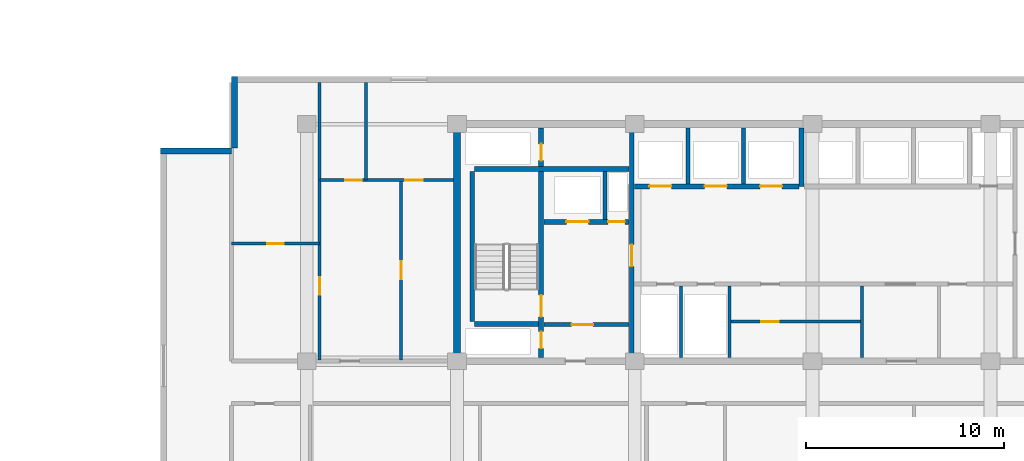
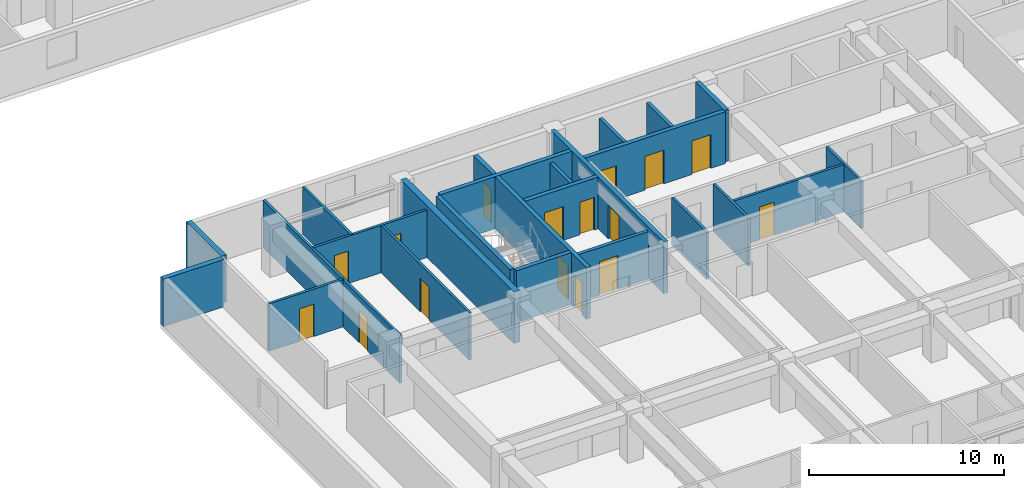
# One storey, part 6 of 23: 24 walls, 16 doors, 16 openings.
"""IFC4 building model written with IfcOpenShell, lengths in metres."""

from ifc_helpers import new_model, si_unit, direction, frame, frame_2d, origin, place, context, subcontext, project, spatial, rectangle, extrude, material, layer, layer_set, type_object, element, fill, save


model = new_model("IFC4")

# Units and contexts
model_context = context("Model", 3, precision=1e-05, world=origin(), true_north=direction((0.0, 1.0)))
body_context = subcontext(model_context, "Body", "Model", "MODEL_VIEW")
ifc_project = project(units=[si_unit("LENGTHUNIT", "METRE"), si_unit("AREAUNIT", "SQUARE_METRE"), si_unit("VOLUMEUNIT", "CUBIC_METRE"), si_unit("PLANEANGLEUNIT", "RADIAN"), si_unit("MASSUNIT", "GRAM", prefix="KILO")], contexts=[model_context])

# Site, building, storey
site_placement = place(None, origin())
site = spatial("IfcSite", under=ifc_project, at=site_placement, CompositionType="ELEMENT")
building_placement = place(site_placement, origin())
building = spatial("IfcBuilding", under=site, at=building_placement, Name="Korimba Cascade Residences", CompositionType="ELEMENT")
storey_placement = place(building_placement, frame((0.0, 0.0, 59.75)))
storey = spatial("IfcBuildingStorey", under=building, at=storey_placement, Name="L16", CompositionType="ELEMENT", Elevation=59.75)

# Walls
ifc_material_1 = material(Name="Precast concrete C40/50", Category="concrete")
ifc_layer_1 = layer(ifc_material_1, 0.300048828125)
ifc_layer_set_1 = layer_set([ifc_layer_1], Name="Precast concrete C40/50")
wall_type_1 = type_object("IfcWallType", Name="EW-STONE-300", PredefinedType="STANDARD", material=ifc_layer_set_1)
wall_1_placement = place(storey_placement, frame((70.85009765625, 32.800048828125, 0.0), z_axis=(0.0, 0.0, 1.0), x_axis=(0.0, -1.0, 0.0)))
element("IfcWall", 1, at=wall_1_placement, inside=storey, type_object=wall_type_1, Name="L16 T2 Perimeter Stone Wall E07", PredefinedType="STANDARD", context=body_context, shape_type="SweptSolid", body=[
    extrude(rectangle(XDim=3.60009765625, YDim=0.300048828125, at=frame_2d((1.800048828125, 0.0))), origin(), (0.0, 0.0, 1.0), 2.969970703125),
])
wall_2_placement = place(storey_placement, frame((70.699951171875, 29.050048828125, 0.0), z_axis=(0.0, 0.0, 1.0), x_axis=(-1.0, 0.0, 0.0)))
element("IfcWall", 2, at=wall_2_placement, inside=storey, type_object=wall_type_1, Name="L16 T2 Perimeter Stone Wall E08", PredefinedType="STANDARD", context=body_context, shape_type="SweptSolid", body=[
    extrude(rectangle(XDim=3.599853515625, YDim=0.300048828125, at=frame_2d((1.7998046875, 0.0))), origin(), (0.0, 0.0, 1.0), 2.969970703125),
])
ifc_material_2 = material(Name="Concrete C65/80", Category="concrete")
ifc_layer_2 = layer(ifc_material_2, 0.35009765625)
ifc_layer_set_2 = layer_set([ifc_layer_2], Name="Concrete C65/80")
wall_type_2 = type_object("IfcWallType", Name="WAL-CORE-350", PredefinedType="SHEAR", material=ifc_layer_set_2)
wall_3_placement = place(storey_placement, frame((82.10009765625, 18.574951171875, 0.0), z_axis=(0.0, 0.0, 1.0), x_axis=(0.0, 1.0, 0.0)))
element("IfcWall", 3, at=wall_3_placement, inside=storey, type_object=wall_type_2, Name="L16 Core Shear Wall CW-L16-T2-W", PredefinedType="SHEAR", context=body_context, shape_type="SweptSolid", body=[
    extrude(rectangle(XDim=11.650146484375, YDim=0.35009765625, at=frame_2d((5.8251953125, 0.0))), origin(), (0.0, 0.0, 1.0), 3.25),
])
ifc_material_3 = material(Name="Insulated Acoustic Stud Partition", Category="gypsum")
ifc_layer_3 = layer(ifc_material_3, 0.14990234375)
ifc_layer_set_3 = layer_set([ifc_layer_3], Name="Insulated Acoustic Stud Partition")
wall_type_3 = type_object("IfcWallType", Name="WAL-PART-150", PredefinedType="PARTITIONING", material=ifc_layer_set_3)
for number, where, z_axis, x_axis, name in (
    (4, (93.449951171875, 18.60009765625, 0.0), (0.0, 0.0, 1.0), (0.0, 1.0, 0.0), "L16 Partition Wall CW-L16-T2-ERDIV"),
    (5, (95.89990234375, 18.60009765625, 0.0), (0.0, 0.0, 1.0), (0.0, 1.0, 0.0), "L16 Partition Wall CW-L16-T2-PRDIV"),
):
    element("IfcWall", number, at=place(storey_placement, frame(where, z_axis=z_axis, x_axis=x_axis)), inside=storey, type_object=wall_type_3, Name=name, PredefinedType="PARTITIONING", context=body_context, shape_type="SweptSolid", body=[
        extrude(rectangle(XDim=3.599853515625, YDim=0.14990234375, at=frame_2d((1.7998046875, 0.0))), origin(), (0.0, 0.0, 1.0), 2.969970703125),
    ])

# Wall, opening, door
wall_4_placement = place(storey_placement, frame((95.89990234375, 20.39990234375, 0.0), z_axis=(0.0, 0.0, 1.0), x_axis=(1.0, 0.0, 0.0)))
wall_4 = element("IfcWall", 6, at=wall_4_placement, inside=storey, type_object=wall_type_3, Name="L16 Partition Wall CW-L16-T2-CA2HZ", PredefinedType="PARTITIONING", context=body_context, shape_type="SweptSolid", body=[
    extrude(rectangle(XDim=6.7001953125, YDim=0.14990234375, at=frame_2d((3.35009765625, 0.0))), origin(), (0.0, 0.0, 1.0), 2.969970703125),
])
opening_1_placement = place(wall_4_placement, frame((1.60009765625, 0.0, 0.0)))
opening_1 = element("IfcOpeningElement", 7, at=opening_1_placement, cuts=wall_4, Name="Opening D-IN2", PredefinedType="OPENING", context=body_context, shape_type="SweptSolid", body=[
    extrude(rectangle(XDim=0.8798828125, YDim=2.06005859375, at=frame_2d((0.43994140625, 1.030029296875))), frame((0.0, 0.0849609375, 0.0), z_axis=(0.0, -1.0, 0.0), x_axis=(1.0, 0.0, 0.0)), (0.0, 0.0, 1.0), 0.169921875),
])
ifc_material_4 = material(Name="Acoustic Timber Bedroom Door", Category="wood")
door_type_1 = type_object("IfcDoorType", Name="DR-INT-880", OperationType="NOTDEFINED", PredefinedType="DOOR", material=ifc_material_4)
door_1_placement = place(opening_1_placement, origin())
door_1 = element("IfcDoor", 8, at=door_1_placement, inside=storey, type_object=door_type_1, Name="L16 T2 Pram Store Door", OperationType="SINGLE_SWING_RIGHT", OverallHeight=2.06005859375, OverallWidth=0.8798828125, PredefinedType="DOOR", context=body_context, shape_type="SweptSolid", body=[
    extrude(rectangle(XDim=0.8798828125, YDim=2.06005859375, at=frame_2d((0.43994140625, 1.030029296875))), frame((0.0, 0.02490234375, 0.0), z_axis=(0.0, -1.0, 0.0), x_axis=(1.0, 0.0, 0.0)), (0.0, 0.0, 1.0), 0.050048828125),
])
fill(opening_1, door_1)

# Wall
wall_5_placement = place(storey_placement, frame((102.60009765625, 18.60009765625, 0.0), z_axis=(0.0, 0.0, 1.0), x_axis=(0.0, 1.0, 0.0)))
element("IfcWall", 9, at=wall_5_placement, inside=storey, type_object=wall_type_3, Name="L16 Partition Wall CW-L16-T2-THW", PredefinedType="PARTITIONING", context=body_context, shape_type="SweptSolid", body=[
    extrude(rectangle(XDim=3.599853515625, YDim=0.14990234375, at=frame_2d((1.7998046875, 0.0))), origin(), (0.0, 0.0, 1.0), 2.969970703125),
])

# Wall, opening, door
wall_6_placement = place(storey_placement, frame((70.699951171875, 24.35009765625, 0.0), z_axis=(0.0, 0.0, 1.0), x_axis=(1.0, 0.0, 0.0)))
wall_6 = element("IfcWall", 10, at=wall_6_placement, inside=storey, type_object=wall_type_3, Name="L16 Partition Wall WAL-L16-T2-FW-STH", PredefinedType="PARTITIONING", context=body_context, shape_type="SweptSolid", body=[
    extrude(rectangle(XDim=4.449951171875, YDim=0.14990234375, at=frame_2d((2.22509765625, 0.0))), origin(), (0.0, 0.0, 1.0), 2.969970703125),
])
opening_2_placement = place(wall_6_placement, frame((1.804931640625, 0.0, 0.0)))
opening_2 = element("IfcOpeningElement", 11, at=opening_2_placement, cuts=wall_6, Name="Opening D-BT1", PredefinedType="OPENING", context=body_context, shape_type="SweptSolid", body=[
    extrude(rectangle(XDim=0.840087890625, YDim=2.0400390625, at=frame_2d((0.419921875, 1.02001953125))), frame((0.0, 0.0849609375, 0.0), z_axis=(0.0, -1.0, 0.0), x_axis=(1.0, 0.0, 0.0)), (0.0, 0.0, 1.0), 0.169921875),
])
ifc_material_5 = material(Name="Moisture-Resistant Bathroom Timber Door", Category="wood")
door_type_2 = type_object("IfcDoorType", Name="DR-INT-850", OperationType="NOTDEFINED", PredefinedType="DOOR", material=ifc_material_5)
door_2_placement = place(opening_2_placement, origin())
door_2 = element("IfcDoor", 12, at=door_2_placement, inside=storey, type_object=door_type_2, Name="L16-T2-FW Dressing Store Door", OperationType="SINGLE_SWING_LEFT", OverallHeight=2.0400390625, OverallWidth=0.840087890625, PredefinedType="DOOR", context=body_context, shape_type="SweptSolid", body=[
    extrude(rectangle(XDim=0.840087890625, YDim=2.0400390625, at=frame_2d((0.419921875, 1.02001953125))), frame((0.0, 0.02490234375, 0.0), z_axis=(0.0, -1.0, 0.0), x_axis=(1.0, 0.0, 0.0)), (0.0, 0.0, 1.0), 0.050048828125),
])
fill(opening_2, door_2)

wall_7_placement = place(storey_placement, frame((75.14990234375, 18.449951171875, 0.0), z_axis=(0.0, 0.0, 1.0), x_axis=(0.0, 1.0, 0.0)))
wall_7 = element("IfcWall", 13, at=wall_7_placement, inside=storey, type_object=wall_type_3, Name="L16 Partition Wall WAL-L16-T2-FW-STV", PredefinedType="PARTITIONING", context=body_context, shape_type="SweptSolid", body=[
    extrude(rectangle(XDim=14.050048828125, YDim=0.14990234375, at=frame_2d((7.02490234375, 0.0))), origin(), (0.0, 0.0, 1.0), 2.969970703125),
])
opening_3_placement = place(wall_7_placement, frame((3.320068359375, 0.0, 0.0)))
opening_3 = element("IfcOpeningElement", 14, at=opening_3_placement, cuts=wall_7, Name="Opening D-IN2", PredefinedType="OPENING", context=body_context, shape_type="SweptSolid", body=[
    extrude(rectangle(XDim=0.8798828125, YDim=2.06005859375, at=frame_2d((0.43994140625, 1.030029296875))), frame((0.0, 0.0849609375, 0.0), z_axis=(0.0, -1.0, 0.0), x_axis=(1.0, 0.0, 0.0)), (0.0, 0.0, 1.0), 0.169921875),
])
door_3_placement = place(opening_3_placement, origin())
door_3 = element("IfcDoor", 15, at=door_3_placement, inside=storey, type_object=door_type_1, Name="L16-T2-FW Study Door", OperationType="SINGLE_SWING_RIGHT", OverallHeight=2.06005859375, OverallWidth=0.8798828125, PredefinedType="DOOR", context=body_context, shape_type="SweptSolid", body=[
    extrude(rectangle(XDim=0.8798828125, YDim=2.06005859375, at=frame_2d((0.43994140625, 1.030029296875))), frame((0.0, 0.02490234375, 0.0), z_axis=(0.0, -1.0, 0.0), x_axis=(1.0, 0.0, 0.0)), (0.0, 0.0, 1.0), 0.050048828125),
])
fill(opening_3, door_3)

wall_8_placement = place(storey_placement, frame((79.27001953125, 18.449951171875, 0.0), z_axis=(0.0, 0.0, 1.0), x_axis=(0.0, 1.0, 0.0)))
wall_8 = element("IfcWall", 16, at=wall_8_placement, inside=storey, type_object=wall_type_3, Name="L16 Partition Wall WAL-L16-T2-FW-VS", PredefinedType="PARTITIONING", context=body_context, shape_type="SweptSolid", body=[
    extrude(rectangle(XDim=9.1201171875, YDim=0.14990234375, at=frame_2d((4.56005859375, 0.0))), origin(), (0.0, 0.0, 1.0), 2.969970703125),
])
opening_4_placement = place(wall_8_placement, frame((4.10009765625, 0.0, 0.0)))
opening_4 = element("IfcOpeningElement", 17, at=opening_4_placement, cuts=wall_8, Name="Opening D-IN1", PredefinedType="OPENING", context=body_context, shape_type="SweptSolid", body=[
    extrude(rectangle(XDim=0.919921875, YDim=2.080078125, at=frame_2d((0.4599609375, 1.0400390625))), frame((0.0, 0.0849609375, 0.0), z_axis=(0.0, -1.0, 0.0), x_axis=(1.0, 0.0, 0.0)), (0.0, 0.0, 1.0), 0.169921875),
])
ifc_material_6 = material(Name="Acoustic Timber Living Door", Category="wood")
door_type_3 = type_object("IfcDoorType", Name="DR-INT-920", OperationType="NOTDEFINED", PredefinedType="DOOR", material=ifc_material_6)
door_4_placement = place(opening_4_placement, origin())
door_4 = element("IfcDoor", 18, at=door_4_placement, inside=storey, type_object=door_type_3, Name="L16-T2-FW Living Door", OperationType="SINGLE_SWING_LEFT", OverallHeight=2.080078125, OverallWidth=0.919921875, PredefinedType="DOOR", context=body_context, shape_type="SweptSolid", body=[
    extrude(rectangle(XDim=0.919921875, YDim=2.080078125, at=frame_2d((0.4599609375, 1.0400390625))), frame((0.0, 0.02490234375, 0.0), z_axis=(0.0, -1.0, 0.0), x_axis=(1.0, 0.0, 0.0)), (0.0, 0.0, 1.0), 0.050048828125),
])
fill(opening_4, door_4)

# Wall
wall_9_placement = place(storey_placement, frame((77.5, 27.570068359375, 0.0), z_axis=(0.0, 0.0, 1.0), x_axis=(0.0, 1.0, 0.0)))
element("IfcWall", 19, at=wall_9_placement, inside=storey, type_object=wall_type_3, Name="L16 Partition Wall WAL-L16-T2-FW-VN", PredefinedType="PARTITIONING", context=body_context, shape_type="SweptSolid", body=[
    extrude(rectangle(XDim=4.929931640625, YDim=0.14990234375, at=frame_2d((2.46484375, 0.0))), origin(), (0.0, 0.0, 1.0), 2.969970703125),
])

# Wall, openings, doors
wall_10_placement = place(storey_placement, frame((75.169921875, 27.570068359375, 0.0), z_axis=(0.0, 0.0, 1.0), x_axis=(1.0, 0.0, 0.0)))
wall_10 = element("IfcWall", 20, at=wall_10_placement, inside=storey, type_object=wall_type_3, Name="L16 Partition Wall WAL-L16-T2-FW-H", PredefinedType="PARTITIONING", context=body_context, shape_type="SweptSolid", body=[
    extrude(rectangle(XDim=6.760009765625, YDim=0.14990234375, at=frame_2d((3.3798828125, 0.0))), origin(), (0.0, 0.0, 1.0), 2.969970703125),
])
opening_5_placement = place(wall_10_placement, frame((1.266357421875, 0.0, 0.0)))
opening_5 = element("IfcOpeningElement", 21, at=opening_5_placement, cuts=wall_10, Name="Opening D-BT1", PredefinedType="OPENING", context=body_context, shape_type="SweptSolid", body=[
    extrude(rectangle(XDim=0.840087890625, YDim=2.0400390625, at=frame_2d((0.419921875, 1.02001953125))), frame((0.0, 0.0849609375, 0.0), z_axis=(0.0, -1.0, 0.0), x_axis=(1.0, 0.0, 0.0)), (0.0, 0.0, 1.0), 0.169921875),
])
opening_6_placement = place(wall_10_placement, frame((4.320068359375, 0.0, 0.0)))
opening_6 = element("IfcOpeningElement", 22, at=opening_6_placement, cuts=wall_10, Name="Opening D-IN2", PredefinedType="OPENING", context=body_context, shape_type="SweptSolid", body=[
    extrude(rectangle(XDim=0.8798828125, YDim=2.06005859375, at=frame_2d((0.43994140625, 1.030029296875))), frame((0.0, 0.0849609375, 0.0), z_axis=(0.0, -1.0, 0.0), x_axis=(1.0, 0.0, 0.0)), (0.0, 0.0, 1.0), 0.169921875),
])
door_5_placement = place(opening_5_placement, origin())
door_5 = element("IfcDoor", 23, at=door_5_placement, inside=storey, type_object=door_type_2, Name="L16-T2-FW Bathroom Door", OperationType="SINGLE_SWING_RIGHT", OverallHeight=2.0400390625, OverallWidth=0.840087890625, PredefinedType="DOOR", context=body_context, shape_type="SweptSolid", body=[
    extrude(rectangle(XDim=0.840087890625, YDim=2.0400390625, at=frame_2d((0.419921875, 1.02001953125))), frame((0.0, 0.02490234375, 0.0), z_axis=(0.0, -1.0, 0.0), x_axis=(1.0, 0.0, 0.0)), (0.0, 0.0, 1.0), 0.050048828125),
])
fill(opening_5, door_5)
door_6_placement = place(opening_6_placement, origin())
door_6 = element("IfcDoor", 24, at=door_6_placement, inside=storey, type_object=door_type_1, Name="L16-T2-FW Bedroom Door", OperationType="SINGLE_SWING_LEFT", OverallHeight=2.06005859375, OverallWidth=0.8798828125, PredefinedType="DOOR", context=body_context, shape_type="SweptSolid", body=[
    extrude(rectangle(XDim=0.8798828125, YDim=2.06005859375, at=frame_2d((0.43994140625, 1.030029296875))), frame((0.0, 0.02490234375, 0.0), z_axis=(0.0, -1.0, 0.0), x_axis=(1.0, 0.0, 0.0)), (0.0, 0.0, 1.0), 0.050048828125),
])
fill(opening_6, door_6)

# Wall
ifc_material_7 = material(Name="Concrete C40/50", Category="concrete")
ifc_layer_4 = layer(ifc_material_7, 0.199951171875)
ifc_layer_set_4 = layer_set([ifc_layer_4], Name="Concrete C40/50")
wall_type_4 = type_object("IfcWallType", Name="WAL-PART-200", PredefinedType="PARTITIONING", material=ifc_layer_set_4)
wall_11_placement = place(storey_placement, frame((89.60009765625, 25.580078125, 0.0), z_axis=(0.0, 0.0, 1.0), x_axis=(0.0, 1.0, 0.0)))
element("IfcWall", 25, at=wall_11_placement, inside=storey, type_object=wall_type_4, Name="L16 Partition Wall CW-L16-T2-FFLDIV", PredefinedType="PARTITIONING", context=body_context, shape_type="SweptSolid", body=[
    extrude(rectangle(XDim=2.419921875, YDim=0.199951171875, at=frame_2d((1.2099609375, 0.0))), origin(), (0.0, 0.0, 1.0), 2.969970703125),
])

# Wall, opening, door
wall_12_placement = place(storey_placement, frame((86.5, 20.25, 0.0), z_axis=(0.0, 0.0, 1.0), x_axis=(1.0, 0.0, 0.0)))
wall_12 = element("IfcWall", 26, at=wall_12_placement, inside=storey, type_object=wall_type_4, Name="L16 Partition Wall CW-L16-T2-FFLS", PredefinedType="PARTITIONING", context=body_context, shape_type="SweptSolid", body=[
    extrude(rectangle(XDim=4.320068359375, YDim=0.199951171875, at=frame_2d((2.16015625, 0.0))), origin(), (0.0, 0.0, 1.0), 2.969970703125),
])
opening_7_placement = place(wall_12_placement, frame((1.39990234375, 0.0, 0.0)))
opening_7 = element("IfcOpeningElement", 27, at=opening_7_placement, cuts=wall_12, Name="Opening D-FD1", PredefinedType="OPENING", context=body_context, shape_type="SweptSolid", body=[
    extrude(rectangle(XDim=1.10009765625, YDim=2.10009765625, at=frame_2d((0.550048828125, 1.050048828125))), frame((0.0, 0.10986328125, 0.0), z_axis=(0.0, -1.0, 0.0), x_axis=(1.0, 0.0, 0.0)), (0.0, 0.0, 1.0), 0.219970703125),
])
ifc_material_8 = material(Name="Fire-Rated Steel Core Door", Category="steel")
door_type_4 = type_object("IfcDoorType", Name="DR-FD120-1100", OperationType="NOTDEFINED", PredefinedType="DOOR", material=ifc_material_8)
door_7_placement = place(opening_7_placement, origin())
door_7 = element("IfcDoor", 28, at=door_7_placement, inside=storey, type_object=door_type_4, Name="L16 T2 Firefighting Lobby Door", OperationType="SINGLE_SWING_LEFT", OverallHeight=2.10009765625, OverallWidth=1.10009765625, PredefinedType="DOOR", context=body_context, shape_type="SweptSolid", body=[
    extrude(rectangle(XDim=1.10009765625, YDim=2.10009765625, at=frame_2d((0.550048828125, 1.050048828125))), frame((0.0, 0.02490234375, 0.0), z_axis=(0.0, -1.0, 0.0), x_axis=(1.0, 0.0, 0.0)), (0.0, 0.0, 1.0), 0.050048828125),
])
fill(opening_7, door_7)

# Walls
for number, where, z_axis, x_axis, name in (
    (29, (93.800048828125, 27.3798828125, 0.0), (0.0, 0.0, 1.0), (0.0, 1.0, 0.0), "L16 Partition Wall CW-L16-T2-B1D1"),
    (30, (96.60009765625, 27.3798828125, 0.0), (0.0, 0.0, 1.0), (0.0, 1.0, 0.0), "L16 Partition Wall CW-L16-T2-B1D2"),
):
    element("IfcWall", number, at=place(storey_placement, frame(where, z_axis=z_axis, x_axis=x_axis)), inside=storey, type_object=wall_type_4, Name=name, PredefinedType="PARTITIONING", context=body_context, shape_type="SweptSolid", body=[
        extrude(rectangle(XDim=2.820068359375, YDim=0.199951171875, at=frame_2d((1.41015625, 0.0))), origin(), (0.0, 0.0, 1.0), 2.969970703125),
    ])
ifc_material_9 = material(Name="Concrete C50/60", Category="concrete")
ifc_layer_5 = layer(ifc_material_9, 0.25)
ifc_layer_set_5 = layer_set([ifc_layer_5], Name="Concrete C50/60")
wall_type_5 = type_object("IfcWallType", Name="WAL-SHAFT-250", PredefinedType="SHEAR", material=ifc_layer_set_5)
wall_13_placement = place(storey_placement, frame((82.875, 20.39990234375, 0.0), z_axis=(0.0, 0.0, 1.0), x_axis=(0.0, 1.0, 0.0)))
element("IfcWall", 31, at=wall_13_placement, inside=storey, type_object=wall_type_5, Name="L16 Core Shear Wall CW-L16-T2-STE1W", PredefinedType="SHEAR", context=body_context, shape_type="SweptSolid", body=[
    extrude(rectangle(XDim=7.60009765625, YDim=0.25, at=frame_2d((3.800048828125, 0.0))), origin(), (0.0, 0.0, 1.0), 3.25),
])

# Wall, openings, doors
wall_14_placement = place(storey_placement, frame((86.364990234375, 18.60009765625, 0.0), z_axis=(0.0, 0.0, 1.0), x_axis=(0.0, 1.0, 0.0)))
wall_14 = element("IfcWall", 32, at=wall_14_placement, inside=storey, type_object=wall_type_5, Name="L16 Core Shear Wall CW-L16-T2-STE1E", PredefinedType="SHEAR", context=body_context, shape_type="SweptSolid", body=[
    extrude(rectangle(XDim=11.599853515625, YDim=0.25, at=frame_2d((5.7998046875, 0.0))), origin(), (0.0, 0.0, 1.0), 3.25),
])
opening_8_placement = place(wall_14_placement, frame((0.449951171875, 0.0, 0.0)))
opening_8 = element("IfcOpeningElement", 33, at=opening_8_placement, cuts=wall_14, Name="Opening D-RS1", PredefinedType="OPENING", context=body_context, shape_type="SweptSolid", body=[
    extrude(rectangle(XDim=0.85009765625, YDim=2.050048828125, at=frame_2d((0.425048828125, 1.02490234375))), frame((0.0, 0.135009765625, 0.0), z_axis=(0.0, -1.0, 0.0), x_axis=(1.0, 0.0, 0.0)), (0.0, 0.0, 1.0), 0.27001953125),
])
opening_9_placement = place(wall_14_placement, frame((2.050048828125, 0.0, 0.0)))
opening_9 = element("IfcOpeningElement", 34, at=opening_9_placement, cuts=wall_14, Name="Opening D-FD1", PredefinedType="OPENING", context=body_context, shape_type="SweptSolid", body=[
    extrude(rectangle(XDim=1.10009765625, YDim=2.10009765625, at=frame_2d((0.550048828125, 1.050048828125))), frame((0.0, 0.135009765625, 0.0), z_axis=(0.0, -1.0, 0.0), x_axis=(1.0, 0.0, 0.0)), (0.0, 0.0, 1.0), 0.27001953125),
])
opening_10_placement = place(wall_14_placement, frame((9.949951171875, 0.0, 0.0)))
opening_10 = element("IfcOpeningElement", 35, at=opening_10_placement, cuts=wall_14, Name="Opening D-RS1", PredefinedType="OPENING", context=body_context, shape_type="SweptSolid", body=[
    extrude(rectangle(XDim=0.85009765625, YDim=2.050048828125, at=frame_2d((0.425048828125, 1.02490234375))), frame((0.0, 0.135009765625, 0.0), z_axis=(0.0, -1.0, 0.0), x_axis=(1.0, 0.0, 0.0)), (0.0, 0.0, 1.0), 0.27001953125),
])
door_8_placement = place(opening_9_placement, origin())
door_8 = element("IfcDoor", 36, at=door_8_placement, inside=storey, type_object=door_type_4, Name="L16 Fire Stair ST-E1 Door", OperationType="SINGLE_SWING_RIGHT", OverallHeight=2.10009765625, OverallWidth=1.10009765625, PredefinedType="DOOR", context=body_context, shape_type="SweptSolid", body=[
    extrude(rectangle(XDim=1.10009765625, YDim=2.10009765625, at=frame_2d((0.550048828125, 1.050048828125))), frame((0.0, 0.02490234375, 0.0), z_axis=(0.0, -1.0, 0.0), x_axis=(1.0, 0.0, 0.0)), (0.0, 0.0, 1.0), 0.050048828125),
])
fill(opening_9, door_8)
ifc_material_10 = material(Name="Fire-Rated Steel Riser Access Door", Category="steel")
door_type_5 = type_object("IfcDoorType", Name="DR-FD60-850", OperationType="NOTDEFINED", PredefinedType="DOOR", material=ifc_material_10)
door_9_placement = place(opening_8_placement, origin())
door_9 = element("IfcDoor", 37, at=door_9_placement, inside=storey, type_object=door_type_5, Name="L16 T2 Hydrant Riser Door", OperationType="SINGLE_SWING_LEFT", OverallHeight=2.050048828125, OverallWidth=0.85009765625, PredefinedType="DOOR", context=body_context, shape_type="SweptSolid", body=[
    extrude(rectangle(XDim=0.85009765625, YDim=2.050048828125, at=frame_2d((0.425048828125, 1.02490234375))), frame((0.0, 0.02490234375, 0.0), z_axis=(0.0, -1.0, 0.0), x_axis=(1.0, 0.0, 0.0)), (0.0, 0.0, 1.0), 0.050048828125),
])
fill(opening_8, door_9)
door_10_placement = place(opening_10_placement, origin())
door_10 = element("IfcDoor", 38, at=door_10_placement, inside=storey, type_object=door_type_5, Name="L16 T2 Smoke Shaft Door", OperationType="SINGLE_SWING_LEFT", OverallHeight=2.050048828125, OverallWidth=0.85009765625, PredefinedType="DOOR", context=body_context, shape_type="SweptSolid", body=[
    extrude(rectangle(XDim=0.85009765625, YDim=2.050048828125, at=frame_2d((0.425048828125, 1.02490234375))), frame((0.0, 0.02490234375, 0.0), z_axis=(0.0, -1.0, 0.0), x_axis=(1.0, 0.0, 0.0)), (0.0, 0.0, 1.0), 0.050048828125),
])
fill(opening_10, door_10)

# Walls
wall_15_placement = place(storey_placement, frame((83.0, 20.27490234375, 0.0), z_axis=(0.0, 0.0, 1.0), x_axis=(1.0, 0.0, 0.0)))
element("IfcWall", 39, at=wall_15_placement, inside=storey, type_object=wall_type_5, Name="L16 Core Shear Wall CW-L16-T2-STE1S", PredefinedType="SHEAR", context=body_context, shape_type="SweptSolid", body=[
    extrude(rectangle(XDim=3.239990234375, YDim=0.25, at=frame_2d((1.6201171875, 0.0))), origin(), (0.0, 0.0, 1.0), 3.25),
])
wall_16_placement = place(storey_placement, frame((83.0, 28.125, 0.0), z_axis=(0.0, 0.0, 1.0), x_axis=(1.0, 0.0, 0.0)))
element("IfcWall", 40, at=wall_16_placement, inside=storey, type_object=wall_type_5, Name="L16 Core Shear Wall CW-L16-T2-STE1N", PredefinedType="SHEAR", context=body_context, shape_type="SweptSolid", body=[
    extrude(rectangle(XDim=7.820068359375, YDim=0.25, at=frame_2d((3.91015625, 0.0))), origin(), (0.0, 0.0, 1.0), 3.25),
])

# Wall, openings, doors
wall_17_placement = place(storey_placement, frame((86.5, 25.449951171875, 0.0), z_axis=(0.0, 0.0, 1.0), x_axis=(1.0, 0.0, 0.0)))
wall_17 = element("IfcWall", 41, at=wall_17_placement, inside=storey, type_object=wall_type_5, Name="L16 Core Shear Wall CW-L16-T2-FFLN", PredefinedType="SHEAR", context=body_context, shape_type="SweptSolid", body=[
    extrude(rectangle(XDim=4.320068359375, YDim=0.25, at=frame_2d((2.16015625, 0.0))), origin(), (0.0, 0.0, 1.0), 3.25),
])
opening_11_placement = place(wall_17_placement, frame((1.139892578125, 0.0, 0.0)))
opening_11 = element("IfcOpeningElement", 42, at=opening_11_placement, cuts=wall_17, Name="Opening LD-01", PredefinedType="OPENING", context=body_context, shape_type="SweptSolid", body=[
    extrude(rectangle(XDim=1.1201171875, YDim=2.1201171875, at=frame_2d((0.56005859375, 1.06005859375))), frame((0.0, 0.135009765625, 0.0), z_axis=(0.0, -1.0, 0.0), x_axis=(1.0, 0.0, 0.0)), (0.0, 0.0, 1.0), 0.27001953125),
])
opening_12_placement = place(wall_17_placement, frame((3.25, 0.0, 0.0)))
opening_12 = element("IfcOpeningElement", 43, at=opening_12_placement, cuts=wall_17, Name="Opening D-RS1", PredefinedType="OPENING", context=body_context, shape_type="SweptSolid", body=[
    extrude(rectangle(XDim=0.85009765625, YDim=2.050048828125, at=frame_2d((0.425048828125, 1.02490234375))), frame((0.0, 0.135009765625, 0.0), z_axis=(0.0, -1.0, 0.0), x_axis=(1.0, 0.0, 0.0)), (0.0, 0.0, 1.0), 0.27001953125),
])
door_11_placement = place(opening_12_placement, origin())
door_11 = element("IfcDoor", 44, at=door_11_placement, inside=storey, type_object=door_type_5, Name="L16 T2 Pressurisation Riser Door", OperationType="SINGLE_SWING_RIGHT", OverallHeight=2.050048828125, OverallWidth=0.85009765625, PredefinedType="DOOR", context=body_context, shape_type="SweptSolid", body=[
    extrude(rectangle(XDim=0.85009765625, YDim=2.050048828125, at=frame_2d((0.425048828125, 1.02490234375))), frame((0.0, 0.02490234375, 0.0), z_axis=(0.0, -1.0, 0.0), x_axis=(1.0, 0.0, 0.0)), (0.0, 0.0, 1.0), 0.050048828125),
])
fill(opening_12, door_11)
ifc_material_11 = material(Name="Stainless Steel Lift Landing Sliding Door", Category="steel")
door_type_6 = type_object("IfcDoorType", Name="DR-LIFT-1100", OperationType="NOTDEFINED", PredefinedType="DOOR", material=ifc_material_11)
door_12_placement = place(opening_11_placement, origin())
door_12 = element("IfcDoor", 45, at=door_12_placement, inside=storey, type_object=door_type_6, Name="L16 Firefighting Lift Landing Door FFL-E1", OperationType="SLIDING_TO_RIGHT", OverallHeight=2.1201171875, OverallWidth=1.1201171875, PredefinedType="DOOR", context=body_context, shape_type="SweptSolid", body=[
    extrude(rectangle(XDim=1.1201171875, YDim=2.1201171875, at=frame_2d((0.56005859375, 1.06005859375))), frame((0.0, 0.02490234375, 0.0), z_axis=(0.0, -1.0, 0.0), x_axis=(1.0, 0.0, 0.0)), (0.0, 0.0, 1.0), 0.050048828125),
])
fill(opening_11, door_12)

# Wall, opening, door
wall_18_placement = place(storey_placement, frame((90.949951171875, 18.60009765625, 0.0), z_axis=(0.0, 0.0, 1.0), x_axis=(0.0, 1.0, 0.0)))
wall_18 = element("IfcWall", 46, at=wall_18_placement, inside=storey, type_object=wall_type_5, Name="L16 Core Shear Wall CW-L16-T2-FFLE", PredefinedType="SHEAR", context=body_context, shape_type="SweptSolid", body=[
    extrude(rectangle(XDim=11.599853515625, YDim=0.25, at=frame_2d((5.7998046875, 0.0))), origin(), (0.0, 0.0, 1.0), 3.25),
])
opening_13_placement = place(wall_18_placement, frame((4.60009765625, 0.0, 0.0)))
opening_13 = element("IfcOpeningElement", 47, at=opening_13_placement, cuts=wall_18, Name="Opening D-FD1", PredefinedType="OPENING", context=body_context, shape_type="SweptSolid", body=[
    extrude(rectangle(XDim=1.10009765625, YDim=2.10009765625, at=frame_2d((0.550048828125, 1.050048828125))), frame((0.0, 0.135009765625, 0.0), z_axis=(0.0, -1.0, 0.0), x_axis=(1.0, 0.0, 0.0)), (0.0, 0.0, 1.0), 0.27001953125),
])
door_13_placement = place(opening_13_placement, origin())
door_13 = element("IfcDoor", 48, at=door_13_placement, inside=storey, type_object=door_type_4, Name="L16 T2 Firefighting Lobby to Lift Lobby Door", OperationType="SINGLE_SWING_RIGHT", OverallHeight=2.10009765625, OverallWidth=1.10009765625, PredefinedType="DOOR", context=body_context, shape_type="SweptSolid", body=[
    extrude(rectangle(XDim=1.10009765625, YDim=2.10009765625, at=frame_2d((0.550048828125, 1.050048828125))), frame((0.0, 0.02490234375, 0.0), z_axis=(0.0, -1.0, 0.0), x_axis=(1.0, 0.0, 0.0)), (0.0, 0.0, 1.0), 0.050048828125),
])
fill(opening_13, door_13)

# Wall, openings, doors
wall_19_placement = place(storey_placement, frame((91.080078125, 27.25, 0.0), z_axis=(0.0, 0.0, 1.0), x_axis=(1.0, 0.0, 0.0)))
wall_19 = element("IfcWall", 49, at=wall_19_placement, inside=storey, type_object=wall_type_5, Name="L16 Core Shear Wall CW-L16-T2-B1S", PredefinedType="SHEAR", context=body_context, shape_type="SweptSolid", body=[
    extrude(rectangle(XDim=8.33984375, YDim=0.25, at=frame_2d((4.169921875, 0.0))), origin(), (0.0, 0.0, 1.0), 3.25),
])
opening_14_placement = place(wall_19_placement, frame((0.760009765625, 0.0, 0.0)))
opening_14 = element("IfcOpeningElement", 50, at=opening_14_placement, cuts=wall_19, Name="Opening LD-01", PredefinedType="OPENING", context=body_context, shape_type="SweptSolid", body=[
    extrude(rectangle(XDim=1.1201171875, YDim=2.1201171875, at=frame_2d((0.56005859375, 1.06005859375))), frame((0.0, 0.135009765625, 0.0), z_axis=(0.0, -1.0, 0.0), x_axis=(1.0, 0.0, 0.0)), (0.0, 0.0, 1.0), 0.27001953125),
])
opening_15_placement = place(wall_19_placement, frame((3.56005859375, 0.0, 0.0)))
opening_15 = element("IfcOpeningElement", 51, at=opening_15_placement, cuts=wall_19, Name="Opening LD-01", PredefinedType="OPENING", context=body_context, shape_type="SweptSolid", body=[
    extrude(rectangle(XDim=1.1201171875, YDim=2.1201171875, at=frame_2d((0.56005859375, 1.06005859375))), frame((0.0, 0.135009765625, 0.0), z_axis=(0.0, -1.0, 0.0), x_axis=(1.0, 0.0, 0.0)), (0.0, 0.0, 1.0), 0.27001953125),
])
opening_16_placement = place(wall_19_placement, frame((6.360107421875, 0.0, 0.0)))
opening_16 = element("IfcOpeningElement", 52, at=opening_16_placement, cuts=wall_19, Name="Opening LD-01", PredefinedType="OPENING", context=body_context, shape_type="SweptSolid", body=[
    extrude(rectangle(XDim=1.1201171875, YDim=2.1201171875, at=frame_2d((0.56005859375, 1.06005859375))), frame((0.0, 0.135009765625, 0.0), z_axis=(0.0, -1.0, 0.0), x_axis=(1.0, 0.0, 0.0)), (0.0, 0.0, 1.0), 0.27001953125),
])
door_14_placement = place(opening_14_placement, origin())
door_14 = element("IfcDoor", 53, at=door_14_placement, inside=storey, type_object=door_type_6, Name="L16 Lift Landing Door PL-E1", OperationType="SLIDING_TO_LEFT", OverallHeight=2.1201171875, OverallWidth=1.1201171875, PredefinedType="DOOR", context=body_context, shape_type="SweptSolid", body=[
    extrude(rectangle(XDim=1.1201171875, YDim=2.1201171875, at=frame_2d((0.56005859375, 1.06005859375))), frame((0.0, 0.02490234375, 0.0), z_axis=(0.0, -1.0, 0.0), x_axis=(1.0, 0.0, 0.0)), (0.0, 0.0, 1.0), 0.050048828125),
])
fill(opening_14, door_14)
door_15_placement = place(opening_15_placement, origin())
door_15 = element("IfcDoor", 54, at=door_15_placement, inside=storey, type_object=door_type_6, Name="L16 Lift Landing Door PL-E2", OperationType="SLIDING_TO_LEFT", OverallHeight=2.1201171875, OverallWidth=1.1201171875, PredefinedType="DOOR", context=body_context, shape_type="SweptSolid", body=[
    extrude(rectangle(XDim=1.1201171875, YDim=2.1201171875, at=frame_2d((0.56005859375, 1.06005859375))), frame((0.0, 0.02490234375, 0.0), z_axis=(0.0, -1.0, 0.0), x_axis=(1.0, 0.0, 0.0)), (0.0, 0.0, 1.0), 0.050048828125),
])
fill(opening_15, door_15)
door_16_placement = place(opening_16_placement, origin())
door_16 = element("IfcDoor", 55, at=door_16_placement, inside=storey, type_object=door_type_6, Name="L16 Lift Landing Door PL-E3", OperationType="SLIDING_TO_LEFT", OverallHeight=2.1201171875, OverallWidth=1.1201171875, PredefinedType="DOOR", context=body_context, shape_type="SweptSolid", body=[
    extrude(rectangle(XDim=1.1201171875, YDim=2.1201171875, at=frame_2d((0.56005859375, 1.06005859375))), frame((0.0, 0.02490234375, 0.0), z_axis=(0.0, -1.0, 0.0), x_axis=(1.0, 0.0, 0.0)), (0.0, 0.0, 1.0), 0.050048828125),
])
fill(opening_16, door_16)

# Wall
wall_20_placement = place(storey_placement, frame((99.550048828125, 27.25, 0.0), z_axis=(0.0, 0.0, 1.0), x_axis=(0.0, 1.0, 0.0)))
element("IfcWall", 56, at=wall_20_placement, inside=storey, type_object=wall_type_5, Name="L16 Core Shear Wall CW-L16-T2-B12DIV", PredefinedType="SHEAR", context=body_context, shape_type="SweptSolid", body=[
    extrude(rectangle(XDim=2.949951171875, YDim=0.25, at=frame_2d((1.47509765625, 0.0))), origin(), (0.0, 0.0, 1.0), 3.25),
])

save(model, "model.ifc")
